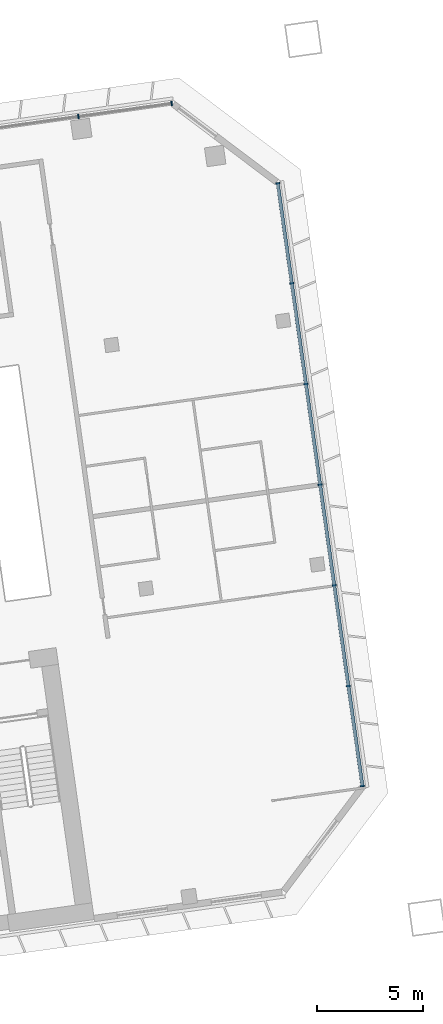
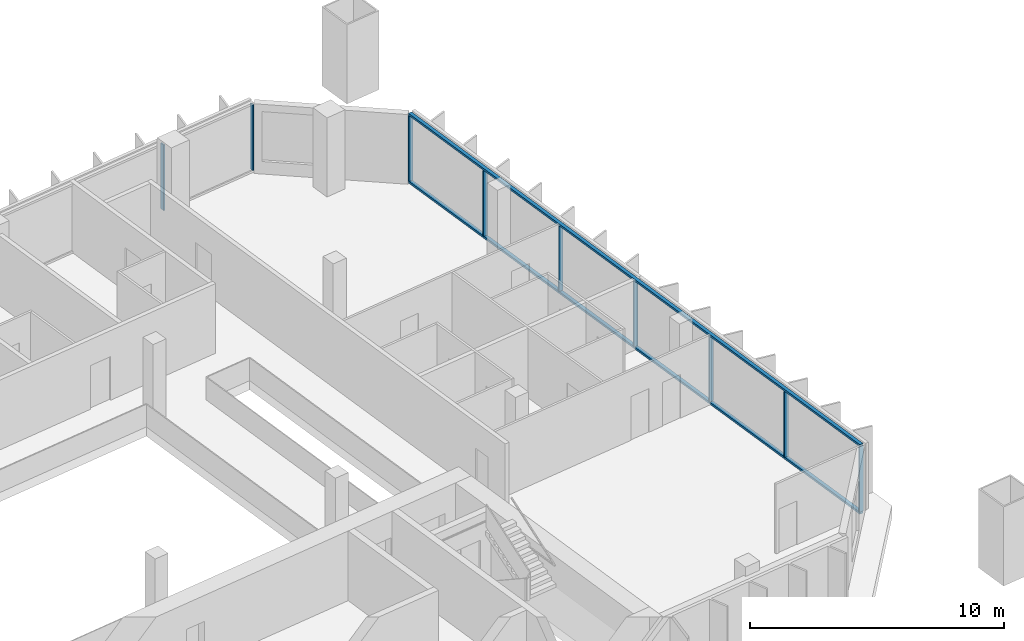
# One storey, part 11 of 25: 11 members, 2 elements without a shape of their own.
"""IFC4 building model written with IfcOpenShell, lengths in metres."""

from ifc_helpers import new_model, si_unit, direction, frame, origin, origin_2d, place, context, subcontext, project, spatial, rectangle, extrude, material, material_profile, profile_set, type_object, element, aggregate, save


model = new_model("IFC4")

# Units and contexts
model_context = context("Model", 3, precision=1e-05, world=origin(), true_north=direction((0.0, 1.0)))
body_context = subcontext(model_context, "Body", "Model", "MODEL_VIEW")
ifc_project = project(units=[si_unit("LENGTHUNIT", "METRE"), si_unit("AREAUNIT", "SQUARE_METRE"), si_unit("VOLUMEUNIT", "CUBIC_METRE"), si_unit("PLANEANGLEUNIT", "RADIAN"), si_unit("MASSUNIT", "GRAM", prefix="KILO")], contexts=[model_context])

# Site, building, storey
site_placement = place(None, origin())
site = spatial("IfcSite", under=ifc_project, at=site_placement, CompositionType="ELEMENT")
building_placement = place(site_placement, origin())
building = spatial("IfcBuilding", under=site, at=building_placement, Name="Mirante Cascada Hotel Towers", CompositionType="ELEMENT")
storey_placement = place(building_placement, frame((0.0, 0.0, 102.5)))
storey = spatial("IfcBuildingStorey", under=building, at=storey_placement, Name="L22", CompositionType="ELEMENT", Elevation=102.5)

# Curtain wall, members
ifc_material_1 = material(Name="Aluminium mullion and transom frame with clear laminated glass", Category="aluminium")
curtain_wall_type_1 = type_object("IfcCurtainWallType", Name="Ribbon curtain wall ECW1", PredefinedType="NOTDEFINED", material=ifc_material_1)
curtain_wall_1_placement = place(storey_placement, origin())
curtain_wall_1 = element("IfcCurtainWall", 1, at=curtain_wall_1_placement, inside=storey, type_object=curtain_wall_type_1, Name="Front ribbon wall T2 L22", PredefinedType="NOTDEFINED")
ifc_material_2 = material(Name="Anodised aluminium extrusion", Category="aluminium")
ifc_material_profile_1 = material_profile(ifc_material_2, rectangle(XDim=0.2, YDim=0.065, at=origin_2d()), Name="ECW1 MULLION 65x200")
ifc_profile_set_1 = profile_set([ifc_material_profile_1], Name="Anodised aluminium extrusion")
member_type_1 = type_object("IfcMemberType", Name="ECW1 mullion 65x200", PredefinedType="MULLION", material=ifc_profile_set_1)
member_1_placement = place(storey_placement, frame((94.126, 26.0476, 0.1), z_axis=(0.0, 0.0, 1.0), x_axis=(0.1391731, -0.9902681, 0.0)))
member_1 = element("IfcMember", 2, at=member_1_placement, type_object=member_type_1, Name="ECW1 mullion 1", PredefinedType="MULLION", context=body_context, shape_type="SweptSolid", body=[
    extrude(rectangle(XDim=0.2, YDim=0.065, at=origin_2d()), origin(), (0.0, 0.0, 1.0), 3.15),
])
member_2_placement = place(storey_placement, frame((89.7107, 25.427, 0.1), z_axis=(0.0, 0.0, 1.0), x_axis=(0.1391731, -0.9902681, 0.0)))
member_2 = element("IfcMember", 3, at=member_2_placement, type_object=member_type_1, Name="ECW1 mullion 2", PredefinedType="MULLION", context=body_context, shape_type="SweptSolid", body=[
    extrude(rectangle(XDim=0.2, YDim=0.065, at=origin_2d()), origin(), (0.0, 0.0, 1.0), 3.15),
])
aggregate(curtain_wall_1, [member_1, member_2])

ifc_material_3 = material(Name="Aluminium mullion and transom frame with clear laminated glass", Category="aluminium")
curtain_wall_type_2 = type_object("IfcCurtainWallType", Name="End ribbon curtain wall ECW2", PredefinedType="NOTDEFINED", material=ifc_material_3)
curtain_wall_2_placement = place(storey_placement, origin())
curtain_wall_2 = element("IfcCurtainWall", 4, at=curtain_wall_2_placement, inside=storey, type_object=curtain_wall_type_2, Name="Outer end wall T2 L22", PredefinedType="NOTDEFINED")
ifc_material_4 = material(Name="Anodised aluminium extrusion", Category="aluminium")
ifc_material_profile_2 = material_profile(ifc_material_4, rectangle(XDim=0.2, YDim=0.065, at=origin_2d()), Name="ECW2 MULLION 65x200")
ifc_profile_set_2 = profile_set([ifc_material_profile_2], Name="Anodised aluminium extrusion")
member_type_2 = type_object("IfcMemberType", Name="ECW2 mullion 65x200", PredefinedType="MULLION", material=ifc_profile_set_2)
member_3_placement = place(storey_placement, frame((103.1556, -6.2656, 0.1), z_axis=(0.0, 0.0, 1.0), x_axis=(-0.9902681, -0.1391731, 0.0)))
member_3 = element("IfcMember", 5, at=member_3_placement, type_object=member_type_2, Name="ECW2 mullion 1", PredefinedType="MULLION", context=body_context, shape_type="SweptSolid", body=[
    extrude(rectangle(XDim=0.2, YDim=0.065, at=origin_2d()), origin(), (0.0, 0.0, 1.0), 3.15),
])
member_4_placement = place(storey_placement, frame((102.4903, -1.532, 0.1), z_axis=(0.0, 0.0, 1.0), x_axis=(-0.9902681, -0.1391731, 0.0)))
member_4 = element("IfcMember", 6, at=member_4_placement, type_object=member_type_2, Name="ECW2 mullion 2", PredefinedType="MULLION", context=body_context, shape_type="SweptSolid", body=[
    extrude(rectangle(XDim=0.2, YDim=0.065, at=origin_2d()), origin(), (0.0, 0.0, 1.0), 3.15),
])
member_5_placement = place(storey_placement, frame((101.8205, 3.2338, 0.1), z_axis=(0.0, 0.0, 1.0), x_axis=(-0.9902681, -0.1391731, 0.0)))
member_5 = element("IfcMember", 7, at=member_5_placement, type_object=member_type_2, Name="ECW2 mullion 3", PredefinedType="MULLION", context=body_context, shape_type="SweptSolid", body=[
    extrude(rectangle(XDim=0.2, YDim=0.065, at=origin_2d()), origin(), (0.0, 0.0, 1.0), 3.15),
])
member_6_placement = place(storey_placement, frame((101.1508, 7.9996, 0.1), z_axis=(0.0, 0.0, 1.0), x_axis=(-0.9902681, -0.1391731, 0.0)))
member_6 = element("IfcMember", 8, at=member_6_placement, type_object=member_type_2, Name="ECW2 mullion 4", PredefinedType="MULLION", context=body_context, shape_type="SweptSolid", body=[
    extrude(rectangle(XDim=0.2, YDim=0.065, at=origin_2d()), origin(), (0.0, 0.0, 1.0), 3.15),
])
member_7_placement = place(storey_placement, frame((100.481, 12.7654, 0.1), z_axis=(0.0, 0.0, 1.0), x_axis=(-0.9902681, -0.1391731, 0.0)))
member_7 = element("IfcMember", 9, at=member_7_placement, type_object=member_type_2, Name="ECW2 mullion 5", PredefinedType="MULLION", context=body_context, shape_type="SweptSolid", body=[
    extrude(rectangle(XDim=0.2, YDim=0.065, at=origin_2d()), origin(), (0.0, 0.0, 1.0), 3.15),
])
member_8_placement = place(storey_placement, frame((99.8112, 17.5312, 0.1), z_axis=(0.0, 0.0, 1.0), x_axis=(-0.9902681, -0.1391731, 0.0)))
member_8 = element("IfcMember", 10, at=member_8_placement, type_object=member_type_2, Name="ECW2 mullion 6", PredefinedType="MULLION", context=body_context, shape_type="SweptSolid", body=[
    extrude(rectangle(XDim=0.2, YDim=0.065, at=origin_2d()), origin(), (0.0, 0.0, 1.0), 3.15),
])
member_9_placement = place(storey_placement, frame((99.1459, 22.2648, 0.1), z_axis=(0.0, 0.0, 1.0), x_axis=(-0.9902681, -0.1391731, 0.0)))
member_9 = element("IfcMember", 11, at=member_9_placement, type_object=member_type_2, Name="ECW2 mullion 7", PredefinedType="MULLION", context=body_context, shape_type="SweptSolid", body=[
    extrude(rectangle(XDim=0.2, YDim=0.065, at=origin_2d()), origin(), (0.0, 0.0, 1.0), 3.15),
])
ifc_material_5 = material(Name="Anodised aluminium extrusion", Category="aluminium")
ifc_material_profile_3 = material_profile(ifc_material_5, rectangle(XDim=0.16, YDim=0.1, at=origin_2d()), Name="ECW2 TRANSOM 100x160")
ifc_profile_set_3 = profile_set([ifc_material_profile_3], Name="Anodised aluminium extrusion")
member_type_3 = type_object("IfcMemberType", Name="ECW2 transom 100x160", PredefinedType="USERDEFINED", material=ifc_profile_set_3)
member_10_placement = place(storey_placement, frame((103.1601, -6.2978, 0.05), z_axis=(-0.1391723, 0.9902682, 0.0), x_axis=(-0.9902682, -0.1391723, 0.0)))
member_10 = element("IfcMember", 12, at=member_10_placement, type_object=member_type_3, Name="ECW2 sill transom", ObjectType="TRANSOM", PredefinedType="USERDEFINED", context=body_context, shape_type="SweptSolid", body=[
    extrude(rectangle(XDim=0.16, YDim=0.1, at=origin_2d()), origin(), (0.0, 0.0, 1.0), 28.8757),
])
member_11_placement = place(storey_placement, frame((103.1601, -6.2978, 3.3), z_axis=(-0.1391723, 0.9902682, 0.0), x_axis=(-0.9902682, -0.1391723, 0.0)))
member_11 = element("IfcMember", 13, at=member_11_placement, type_object=member_type_3, Name="ECW2 head transom", ObjectType="TRANSOM", PredefinedType="USERDEFINED", context=body_context, shape_type="SweptSolid", body=[
    extrude(rectangle(XDim=0.16, YDim=0.1, at=origin_2d()), origin(), (0.0, 0.0, 1.0), 28.8757),
])
aggregate(curtain_wall_2, [member_10, member_11, member_3, member_4, member_5, member_6, member_7, member_8, member_9])

save(model, "model.ifc")
